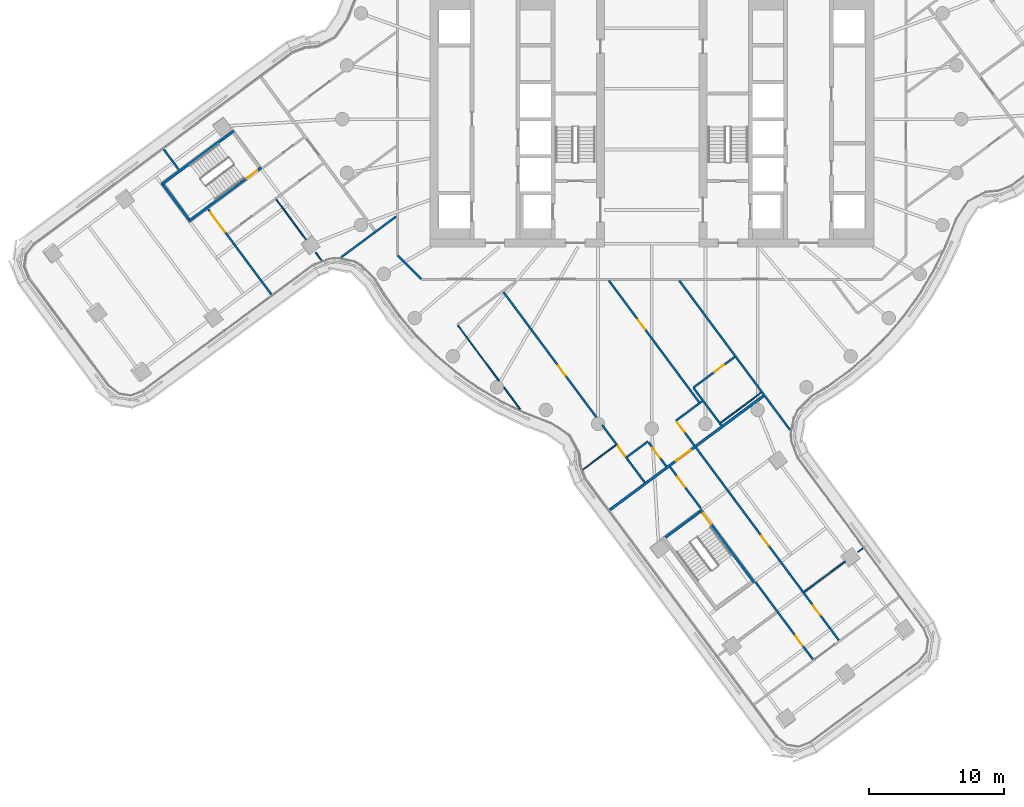
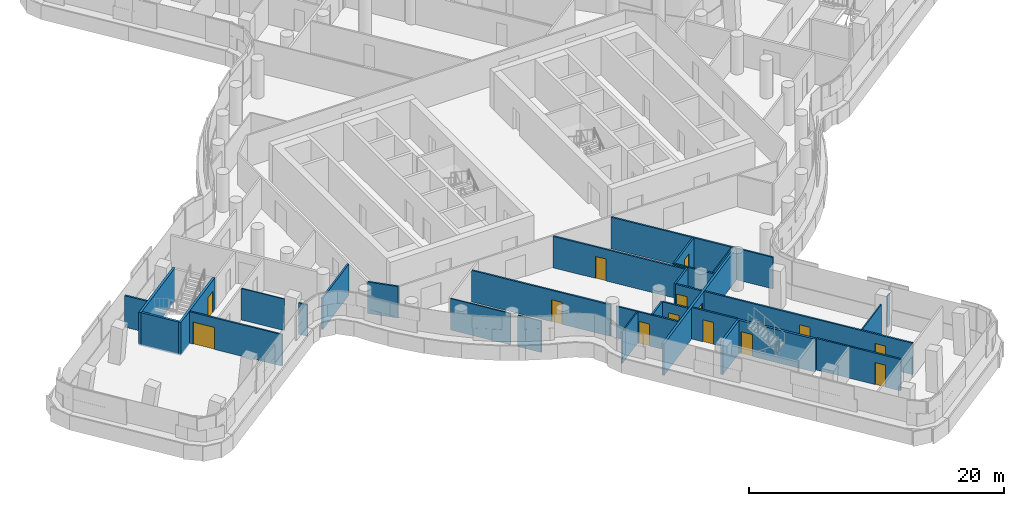
# One storey, part 20 of 32: 30 walls, 14 doors, 14 openings.
"""IFC4 building model written with IfcOpenShell, lengths in metres."""

from ifc_helpers import new_model, si_unit, direction, frame, frame_2d, origin, place, context, subcontext, project, spatial, polyline, rectangle, outline, extrude, material, layer, layer_set, type_object, element, fill, save


model = new_model("IFC4")

# Units and contexts
model_context = context("Model", 3, precision=1e-05, world=origin(), true_north=direction((0.0, 1.0)))
body_context = subcontext(model_context, "Body", "Model", "MODEL_VIEW")
ifc_project = project(units=[si_unit("LENGTHUNIT", "METRE"), si_unit("AREAUNIT", "SQUARE_METRE"), si_unit("VOLUMEUNIT", "CUBIC_METRE"), si_unit("PLANEANGLEUNIT", "RADIAN"), si_unit("MASSUNIT", "GRAM", prefix="KILO")], contexts=[model_context])

# Site, building, storey
site_placement = place(None, origin())
site = spatial("IfcSite", under=ifc_project, at=site_placement, CompositionType="ELEMENT")
building_placement = place(site_placement, origin())
building = spatial("IfcBuilding", under=site, at=building_placement, Name="Tamarind Cross Interchange Tower", CompositionType="ELEMENT")
storey_placement = place(building_placement, frame((0.0, 0.0, 166.75)))
storey = spatial("IfcBuildingStorey", under=building, at=storey_placement, Name="L41", CompositionType="ELEMENT", Elevation=166.75)

# Walls
ifc_material_1 = material(Name="Gypsum board partition on steel studs", Category="steel")
ifc_layer_1 = layer(ifc_material_1, 0.10009765625)
ifc_layer_set_1 = layer_set([ifc_layer_1], Name="Gypsum board partition on steel studs")
wall_type_1 = type_object("IfcWallType", Name="Partition 100 mm EI 90", PredefinedType="PARTITIONING", material=ifc_layer_set_1)
wall_1_placement = place(storey_placement, frame((-27.90625, -5.96923828125, 0.0), z_axis=(0.0, 0.0, 1.0), x_axis=(0.595729228086, -0.803185337767, 0.0)))
element("IfcWall", 1, at=wall_1_placement, inside=storey, type_object=wall_type_1, Name="Partition L41-004", PredefinedType="PARTITIONING", context=body_context, shape_type="SweptSolid", body=[
    extrude(rectangle(XDim=3.711669921875, YDim=0.10009765625, at=frame_2d((1.85595703125, 0.0))), origin(), (0.0, 0.0, 1.0), 3.010009765625),
])
wall_2_placement = place(storey_placement, frame((-24.985595703125, -9.907470703125, 0.0), z_axis=(0.0, 0.0, 1.0), x_axis=(0.596016965025, -0.802971840977, 0.0)))
element("IfcWall", 2, at=wall_2_placement, inside=storey, type_object=wall_type_1, Name="Partition L41-005", PredefinedType="PARTITIONING", context=body_context, shape_type="SweptSolid", body=[
    extrude(rectangle(XDim=0.746826171875, YDim=0.10009765625, at=frame_2d((0.37353515625, 0.0))), origin(), (0.0, 0.0, 1.0), 3.010009765625),
])
wall_3_placement = place(storey_placement, frame((-14.400390625, -15.34423828125, 0.0), z_axis=(0.0, 0.0, 1.0), x_axis=(0.595809139837, -0.803126060396, 0.0)))
element("IfcWall", 3, at=wall_3_placement, inside=storey, type_object=wall_type_1, Name="Partition L41-007", PredefinedType="PARTITIONING", context=body_context, shape_type="SweptSolid", body=[
    extrude(rectangle(XDim=5.1083984375, YDim=0.10009765625, at=frame_2d((2.55419921875, 0.0))), origin(), (0.0, 0.0, 1.0), 3.010009765625),
])
wall_4_placement = place(storey_placement, frame((-10.994384765625, -19.935302734375, 0.0), z_axis=(0.0, 0.0, 1.0), x_axis=(0.595779392593, -0.803148127908, 0.0)))
element("IfcWall", 4, at=wall_4_placement, inside=storey, type_object=wall_type_1, Name="Partition L41-008", PredefinedType="PARTITIONING", context=body_context, shape_type="SweptSolid", body=[
    extrude(rectangle(XDim=2.031005859375, YDim=0.10009765625, at=frame_2d((1.015625, 0.0))), origin(), (0.0, 0.0, 1.0), 3.010009765625),
])
wall_5_placement = place(storey_placement, frame((-5.115234375, -26.04345703125, 0.0), z_axis=(0.0, 0.0, 1.0), x_axis=(0.803080684867, 0.595870299304, 0.0)))
element("IfcWall", 5, at=wall_5_placement, inside=storey, type_object=wall_type_1, Name="Partition L41-054", PredefinedType="PARTITIONING", context=body_context, shape_type="SweptSolid", body=[
    extrude(rectangle(XDim=3.042236328125, YDim=0.10009765625, at=frame_2d((1.52099609375, 0.0))), origin(), (0.0, 0.0, 1.0), 3.010009765625),
])
wall_6_placement = place(storey_placement, frame((11.33056640625, -35.134521484375, 0.0), z_axis=(0.0, 0.0, 1.0), x_axis=(0.803101008, 0.595842907946, 0.0)))
element("IfcWall", 6, at=wall_6_placement, inside=storey, type_object=wall_type_1, Name="Partition L41-061", PredefinedType="PARTITIONING", context=body_context, shape_type="SweptSolid", body=[
    extrude(rectangle(XDim=3.794189453125, YDim=0.10009765625, at=frame_2d((1.89697265625, 0.0))), origin(), (0.0, 0.0, 1.0), 3.010009765625),
])
wall_7_placement = place(storey_placement, frame((15.33447265625, -32.163818359375, 0.0), z_axis=(0.0, 0.0, 1.0), x_axis=(0.803197071816, 0.595713407459, 0.0)))
element("IfcWall", 7, at=wall_7_placement, inside=storey, type_object=wall_type_1, Name="Partition L41-062", PredefinedType="PARTITIONING", context=body_context, shape_type="SweptSolid", body=[
    extrude(rectangle(XDim=0.45654296875, YDim=0.10009765625, at=frame_2d((0.228271484375, 0.0))), origin(), (0.0, 0.0, 1.0), 3.010009765625),
])
wall_8_placement = place(storey_placement, frame((5.12109375, -22.559326171875, 0.0), z_axis=(0.0, 0.0, 1.0), x_axis=(0.803099035859, 0.595845566067, 0.0)))
element("IfcWall", 8, at=wall_8_placement, inside=storey, type_object=wall_type_1, Name="Partition L41-064", PredefinedType="PARTITIONING", context=body_context, shape_type="SweptSolid", body=[
    extrude(rectangle(XDim=3.739990234375, YDim=0.10009765625, at=frame_2d((1.8701171875, 0.0))), origin(), (0.0, 0.0, 1.0), 3.010009765625),
])
ifc_layer_2 = layer(ifc_material_1, 0.14990234375)
ifc_layer_set_2 = layer_set([ifc_layer_2], Name="Gypsum board partition on steel studs")
wall_type_2 = type_object("IfcWallType", Name="Partition 150 mm EI 120", PredefinedType="PARTITIONING", material=ifc_layer_set_2)
wall_9_placement = place(storey_placement, frame((-36.271484375, -2.24560546875, 0.0), z_axis=(0.0, 0.0, 1.0), x_axis=(0.595830526597, -0.803110193918, 0.0)))
element("IfcWall", 9, at=wall_9_placement, inside=storey, type_object=wall_type_2, Name="Partition L41-001", PredefinedType="PARTITIONING", context=body_context, shape_type="SweptSolid", body=[
    extrude(rectangle(XDim=1.858642578125, YDim=0.14990234375, at=frame_2d((0.92919921875, 0.0))), origin(), (0.0, 0.0, 1.0), 3.010009765625),
])

# Wall, opening, door
wall_10_placement = place(storey_placement, frame((-32.970947265625, -6.694091796875, 0.0), z_axis=(0.0, 0.0, 1.0), x_axis=(0.595886847295, -0.803068406314, 0.0)))
wall_10 = element("IfcWall", 10, at=wall_10_placement, inside=storey, type_object=wall_type_2, Name="Partition L41-002", PredefinedType="PARTITIONING", context=body_context, shape_type="SweptSolid", body=[
    extrude(rectangle(XDim=7.88818359375, YDim=0.14990234375, at=frame_2d((3.944091796875, 0.0))), origin(), (0.0, 0.0, 1.0), 3.010009765625),
])
opening_1_placement = place(wall_10_placement, frame((0.300048828125, 0.0, 0.0)))
opening_1 = element("IfcOpeningElement", 11, at=opening_1_placement, cuts=wall_10, Name="Opening D01", PredefinedType="OPENING", context=body_context, shape_type="SweptSolid", body=[
    extrude(rectangle(XDim=1.800048828125, YDim=2.10009765625, at=frame_2d((0.89990234375, 1.050048828125))), frame((0.0, 0.0849609375, 0.0), z_axis=(0.0, -1.0, 0.0), x_axis=(1.0, 0.0, 0.0)), (0.0, 0.0, 1.0), 0.169921875),
])
ifc_material_2 = material(Name="Fire-resisting door set")
door_type_1 = type_object("IfcDoorType", Name="Interior door 1800 x 2100 FD60S", OperationType="DOUBLE_DOOR_SINGLE_SWING", PredefinedType="DOOR", material=ifc_material_2)
door_1_placement = place(opening_1_placement, frame((1.800048828125, 0.0, 0.0), z_axis=(0.0, 0.0, 1.0), x_axis=(-1.0, 0.0, 0.0)))
door_1 = element("IfcDoor", 12, at=door_1_placement, inside=storey, type_object=door_type_1, Name="Door D01", OperationType="DOUBLE_DOOR_SINGLE_SWING", OverallHeight=2.10009765625, OverallWidth=1.800048828125, PredefinedType="DOOR", context=body_context, shape_type="SweptSolid", body=[
    extrude(rectangle(XDim=1.800048828125, YDim=2.10009765625, at=frame_2d((0.89990234375, 1.050048828125))), frame((0.0, 0.02490234375, 0.0), z_axis=(0.0, -1.0, 0.0), x_axis=(1.0, 0.0, 0.0)), (0.0, 0.0, 1.0), 0.050048828125),
])
fill(opening_1, door_1)

wall_11_placement = place(storey_placement, frame((-11.0244140625, -12.84619140625, 0.0), z_axis=(0.0, 0.0, 1.0), x_axis=(0.595804045693, -0.803129839525, 0.0)))
wall_11 = element("IfcWall", 13, at=wall_11_placement, inside=storey, type_object=wall_type_2, Name="Partition L41-012", PredefinedType="PARTITIONING", context=body_context, shape_type="SweptSolid", body=[
    extrude(rectangle(XDim=11.846435546875, YDim=0.14990234375, at=frame_2d((5.92333984375, 0.0))), origin(), (0.0, 0.0, 1.0), 3.010009765625),
])
opening_2_placement = place(wall_11_placement, frame((6.820068359375, 0.0, 0.0)))
opening_2 = element("IfcOpeningElement", 14, at=opening_2_placement, cuts=wall_11, Name="Opening D09", PredefinedType="OPENING", context=body_context, shape_type="SweptSolid", body=[
    extrude(rectangle(XDim=0.89990234375, YDim=2.10009765625, at=frame_2d((0.449951171875, 1.050048828125))), frame((0.0, 0.0849609375, 0.0), z_axis=(0.0, -1.0, 0.0), x_axis=(1.0, 0.0, 0.0)), (0.0, 0.0, 1.0), 0.169921875),
])
door_type_2 = type_object("IfcDoorType", Name="Interior door 900 x 2100 FD60S", OperationType="SINGLE_SWING_LEFT", PredefinedType="DOOR", material=ifc_material_2)
door_2_placement = place(opening_2_placement, frame((0.89990234375, 0.0, 0.0), z_axis=(0.0, 0.0, 1.0), x_axis=(-1.0, 0.0, 0.0)))
door_2 = element("IfcDoor", 15, at=door_2_placement, inside=storey, type_object=door_type_2, Name="Door D09", OperationType="SINGLE_SWING_RIGHT", OverallHeight=2.10009765625, OverallWidth=0.89990234375, PredefinedType="DOOR", context=body_context, shape_type="SweptSolid", body=[
    extrude(rectangle(XDim=0.89990234375, YDim=2.10009765625, at=frame_2d((0.449951171875, 1.050048828125))), frame((0.0, 0.02490234375, 0.0), z_axis=(0.0, -1.0, 0.0), x_axis=(1.0, 0.0, 0.0)), (0.0, 0.0, 1.0), 0.050048828125),
])
fill(opening_2, door_2)

wall_12_placement = place(storey_placement, frame((-3.6982421875, -22.7216796875, 0.0), z_axis=(0.0, 0.0, 1.0), x_axis=(0.595780136415, -0.803147576136, 0.0)))
wall_12 = element("IfcWall", 16, at=wall_12_placement, inside=storey, type_object=wall_type_2, Name="Partition L41-013", PredefinedType="PARTITIONING", context=body_context, shape_type="SweptSolid", body=[
    extrude(rectangle(XDim=5.323974609375, YDim=0.14990234375, at=frame_2d((2.662109375, 0.0))), origin(), (0.0, 0.0, 1.0), 3.010009765625),
])
opening_3_placement = place(wall_12_placement, frame((1.973388671875, 0.0, 0.0)))
opening_3 = element("IfcOpeningElement", 17, at=opening_3_placement, cuts=wall_12, Name="Opening D10", PredefinedType="OPENING", context=body_context, shape_type="SweptSolid", body=[
    extrude(rectangle(XDim=0.89990234375, YDim=2.10009765625, at=frame_2d((0.449951171875, 1.050048828125))), frame((0.0, 0.0849609375, 0.0), z_axis=(0.0, -1.0, 0.0), x_axis=(1.0, 0.0, 0.0)), (0.0, 0.0, 1.0), 0.169921875),
])
door_3_placement = place(opening_3_placement, frame((0.89990234375, 0.0, 0.0), z_axis=(0.0, 0.0, 1.0), x_axis=(-1.0, 0.0, 0.0)))
door_3 = element("IfcDoor", 18, at=door_3_placement, inside=storey, type_object=door_type_2, Name="Door D10", OperationType="SINGLE_SWING_LEFT", OverallHeight=2.10009765625, OverallWidth=0.89990234375, PredefinedType="DOOR", context=body_context, shape_type="SweptSolid", body=[
    extrude(rectangle(XDim=0.89990234375, YDim=2.10009765625, at=frame_2d((0.449951171875, 1.050048828125))), frame((0.0, 0.02490234375, 0.0), z_axis=(0.0, -1.0, 0.0), x_axis=(1.0, 0.0, 0.0)), (0.0, 0.0, 1.0), 0.050048828125),
])
fill(opening_3, door_3)

wall_13_placement = place(storey_placement, frame((-3.1845703125, -12.00048828125, 0.0), z_axis=(0.0, 0.0, 1.0), x_axis=(0.595796799858, -0.803135214817, 0.0)))
wall_13 = element("IfcWall", 19, at=wall_13_placement, inside=storey, type_object=wall_type_2, Name="Partition L41-016", PredefinedType="PARTITIONING", context=body_context, shape_type="SweptSolid", body=[
    extrude(rectangle(XDim=11.24853515625, YDim=0.14990234375, at=frame_2d((5.624267578125, 0.0))), origin(), (0.0, 0.0, 1.0), 3.010009765625),
])
opening_4_placement = place(wall_13_placement, frame((3.625, 0.0, 0.0)))
opening_4 = element("IfcOpeningElement", 20, at=opening_4_placement, cuts=wall_13, Name="Opening D12", PredefinedType="OPENING", context=body_context, shape_type="SweptSolid", body=[
    extrude(rectangle(XDim=0.89990234375, YDim=2.10009765625, at=frame_2d((0.449951171875, 1.050048828125))), frame((0.0, 0.0849609375, 0.0), z_axis=(0.0, -1.0, 0.0), x_axis=(1.0, 0.0, 0.0)), (0.0, 0.0, 1.0), 0.169921875),
])
door_4_placement = place(opening_4_placement, origin())
door_4 = element("IfcDoor", 21, at=door_4_placement, inside=storey, type_object=door_type_2, Name="Door D12", OperationType="SINGLE_SWING_RIGHT", OverallHeight=2.10009765625, OverallWidth=0.89990234375, PredefinedType="DOOR", context=body_context, shape_type="SweptSolid", body=[
    extrude(rectangle(XDim=0.89990234375, YDim=2.10009765625, at=frame_2d((0.449951171875, 1.050048828125))), frame((0.0, 0.02490234375, 0.0), z_axis=(0.0, -1.0, 0.0), x_axis=(1.0, 0.0, 0.0)), (0.0, 0.0, 1.0), 0.050048828125),
])
fill(opening_4, door_4)

wall_14_placement = place(storey_placement, frame((-0.245361328125, -24.018310546875, 0.0), z_axis=(0.0, 0.0, 1.0), x_axis=(0.595725941759, -0.803187775252, 0.0)))
wall_14 = element("IfcWall", 22, at=wall_14_placement, inside=storey, type_object=wall_type_2, Name="Partition L41-017", PredefinedType="PARTITIONING", context=body_context, shape_type="SweptSolid", body=[
    extrude(rectangle(XDim=2.225341796875, YDim=0.14990234375, at=frame_2d((1.11279296875, 0.0))), origin(), (0.0, 0.0, 1.0), 3.010009765625),
])
opening_5_placement = place(wall_14_placement, frame((0.52490234375, 0.0, 0.0)))
opening_5 = element("IfcOpeningElement", 23, at=opening_5_placement, cuts=wall_14, Name="Opening D13", PredefinedType="OPENING", context=body_context, shape_type="SweptSolid", body=[
    extrude(rectangle(XDim=0.89990234375, YDim=2.10009765625, at=frame_2d((0.449951171875, 1.050048828125))), frame((0.0, 0.0849609375, 0.0), z_axis=(0.0, -1.0, 0.0), x_axis=(1.0, 0.0, 0.0)), (0.0, 0.0, 1.0), 0.169921875),
])
door_5_placement = place(opening_5_placement, frame((0.89990234375, 0.0, 0.0), z_axis=(0.0, 0.0, 1.0), x_axis=(-1.0, 0.0, 0.0)))
door_5 = element("IfcDoor", 24, at=door_5_placement, inside=storey, type_object=door_type_2, Name="Door D13", OperationType="SINGLE_SWING_LEFT", OverallHeight=2.10009765625, OverallWidth=0.89990234375, PredefinedType="DOOR", context=body_context, shape_type="SweptSolid", body=[
    extrude(rectangle(XDim=0.89990234375, YDim=2.10009765625, at=frame_2d((0.449951171875, 1.050048828125))), frame((0.0, 0.02490234375, 0.0), z_axis=(0.0, -1.0, 0.0), x_axis=(1.0, 0.0, 0.0)), (0.0, 0.0, 1.0), 0.050048828125),
])
fill(opening_5, door_5)

wall_15_placement = place(storey_placement, frame((1.359619140625, -25.847412109375, 0.0), z_axis=(0.0, 0.0, 1.0), x_axis=(0.595903510496, -0.803056041742, 0.0)))
wall_15 = element("IfcWall", 25, at=wall_15_placement, inside=storey, type_object=wall_type_2, Name="Partition L41-020", PredefinedType="PARTITIONING", context=body_context, shape_type="SweptSolid", body=[
    extrude(rectangle(XDim=3.85986328125, YDim=0.14990234375, at=frame_2d((1.929931640625, 0.0))), origin(), (0.0, 0.0, 1.0), 3.010009765625),
])
opening_6_placement = place(wall_15_placement, frame((0.949951171875, 0.0, 0.0)))
opening_6 = element("IfcOpeningElement", 26, at=opening_6_placement, cuts=wall_15, Name="Opening D15", PredefinedType="OPENING", context=body_context, shape_type="SweptSolid", body=[
    extrude(rectangle(XDim=0.89990234375, YDim=2.10009765625, at=frame_2d((0.449951171875, 1.050048828125))), frame((0.0, 0.0849609375, 0.0), z_axis=(0.0, -1.0, 0.0), x_axis=(1.0, 0.0, 0.0)), (0.0, 0.0, 1.0), 0.169921875),
])
door_6_placement = place(opening_6_placement, frame((0.89990234375, 0.0, 0.0), z_axis=(0.0, 0.0, 1.0), x_axis=(-1.0, 0.0, 0.0)))
door_6 = element("IfcDoor", 27, at=door_6_placement, inside=storey, type_object=door_type_2, Name="Door D15", OperationType="SINGLE_SWING_LEFT", OverallHeight=2.10009765625, OverallWidth=0.89990234375, PredefinedType="DOOR", context=body_context, shape_type="SweptSolid", body=[
    extrude(rectangle(XDim=0.89990234375, YDim=2.10009765625, at=frame_2d((0.449951171875, 1.050048828125))), frame((0.0, 0.02490234375, 0.0), z_axis=(0.0, -1.0, 0.0), x_axis=(1.0, 0.0, 0.0)), (0.0, 0.0, 1.0), 0.050048828125),
])
fill(opening_6, door_6)

wall_16_placement = place(storey_placement, frame((7.7001953125, -34.39208984375, 0.0), z_axis=(0.0, 0.0, 1.0), x_axis=(0.595868147299, -0.803082281609, 0.0)))
wall_16 = element("IfcWall", 28, at=wall_16_placement, inside=storey, type_object=wall_type_2, Name="Partition L41-021", PredefinedType="PARTITIONING", context=body_context, shape_type="SweptSolid", body=[
    extrude(rectangle(XDim=7.179931640625, YDim=0.14990234375, at=frame_2d((3.58984375, 0.0))), origin(), (0.0, 0.0, 1.0), 3.010009765625),
])
opening_7_placement = place(wall_16_placement, frame((5.00927734375, 0.0, 0.0)))
opening_7 = element("IfcOpeningElement", 29, at=opening_7_placement, cuts=wall_16, Name="Opening D16", PredefinedType="OPENING", context=body_context, shape_type="SweptSolid", body=[
    extrude(rectangle(XDim=0.89990234375, YDim=2.10009765625, at=frame_2d((0.449951171875, 1.050048828125))), frame((0.0, 0.0849609375, 0.0), z_axis=(0.0, -1.0, 0.0), x_axis=(1.0, 0.0, 0.0)), (0.0, 0.0, 1.0), 0.169921875),
])
door_7_placement = place(opening_7_placement, frame((0.89990234375, 0.0, 0.0), z_axis=(0.0, 0.0, 1.0), x_axis=(-1.0, 0.0, 0.0)))
door_7 = element("IfcDoor", 30, at=door_7_placement, inside=storey, type_object=door_type_2, Name="Door D16", OperationType="SINGLE_SWING_RIGHT", OverallHeight=2.10009765625, OverallWidth=0.89990234375, PredefinedType="DOOR", context=body_context, shape_type="SweptSolid", body=[
    extrude(rectangle(XDim=0.89990234375, YDim=2.10009765625, at=frame_2d((0.449951171875, 1.050048828125))), frame((0.0, 0.02490234375, 0.0), z_axis=(0.0, -1.0, 0.0), x_axis=(1.0, 0.0, 0.0)), (0.0, 0.0, 1.0), 0.050048828125),
])
fill(opening_7, door_7)

# Wall, openings, doors
wall_17_placement = place(storey_placement, frame((1.845703125, -22.473388671875, 0.0), z_axis=(0.0, 0.0, 1.0), x_axis=(0.595730224084, -0.803184599026, 0.0)))
wall_17 = element("IfcWall", 31, at=wall_17_placement, inside=storey, type_object=wall_type_2, Name="Partition L41-022", PredefinedType="PARTITIONING", context=body_context, shape_type="SweptSolid", body=[
    extrude(rectangle(XDim=20.240478515625, YDim=0.14990234375, at=frame_2d((10.1201171875, 0.0))), origin(), (0.0, 0.0, 1.0), 3.010009765625),
])
opening_8_placement = place(wall_17_placement, frame((0.070068359375, 0.0, 0.0)))
opening_8 = element("IfcOpeningElement", 32, at=opening_8_placement, cuts=wall_17, Name="Opening D17", PredefinedType="OPENING", context=body_context, shape_type="SweptSolid", body=[
    extrude(rectangle(XDim=0.89990234375, YDim=2.10009765625, at=frame_2d((0.449951171875, 1.050048828125))), frame((0.0, 0.0849609375, 0.0), z_axis=(0.0, -1.0, 0.0), x_axis=(1.0, 0.0, 0.0)), (0.0, 0.0, 1.0), 0.169921875),
])
opening_9_placement = place(wall_17_placement, frame((10.5703125, 0.0, 0.0)))
opening_9 = element("IfcOpeningElement", 33, at=opening_9_placement, cuts=wall_17, Name="Opening D18", PredefinedType="OPENING", context=body_context, shape_type="SweptSolid", body=[
    extrude(rectangle(XDim=0.89990234375, YDim=2.10009765625, at=frame_2d((0.449951171875, 1.050048828125))), frame((0.0, 0.0849609375, 0.0), z_axis=(0.0, -1.0, 0.0), x_axis=(1.0, 0.0, 0.0)), (0.0, 0.0, 1.0), 0.169921875),
])
opening_10_placement = place(wall_17_placement, frame((17.020751953125, 0.0, 0.0)))
opening_10 = element("IfcOpeningElement", 34, at=opening_10_placement, cuts=wall_17, Name="Opening D19", PredefinedType="OPENING", context=body_context, shape_type="SweptSolid", body=[
    extrude(rectangle(XDim=0.89990234375, YDim=2.10009765625, at=frame_2d((0.449951171875, 1.050048828125))), frame((0.0, 0.0849609375, 0.0), z_axis=(0.0, -1.0, 0.0), x_axis=(1.0, 0.0, 0.0)), (0.0, 0.0, 1.0), 0.169921875),
])
door_8_placement = place(opening_8_placement, origin())
door_8 = element("IfcDoor", 35, at=door_8_placement, inside=storey, type_object=door_type_2, Name="Door D17", OperationType="SINGLE_SWING_RIGHT", OverallHeight=2.10009765625, OverallWidth=0.89990234375, PredefinedType="DOOR", context=body_context, shape_type="SweptSolid", body=[
    extrude(rectangle(XDim=0.89990234375, YDim=2.10009765625, at=frame_2d((0.449951171875, 1.050048828125))), frame((0.0, 0.02490234375, 0.0), z_axis=(0.0, -1.0, 0.0), x_axis=(1.0, 0.0, 0.0)), (0.0, 0.0, 1.0), 0.050048828125),
])
fill(opening_8, door_8)
door_9_placement = place(opening_9_placement, origin())
door_9 = element("IfcDoor", 36, at=door_9_placement, inside=storey, type_object=door_type_2, Name="Door D18", OperationType="SINGLE_SWING_LEFT", OverallHeight=2.10009765625, OverallWidth=0.89990234375, PredefinedType="DOOR", context=body_context, shape_type="SweptSolid", body=[
    extrude(rectangle(XDim=0.89990234375, YDim=2.10009765625, at=frame_2d((0.449951171875, 1.050048828125))), frame((0.0, 0.02490234375, 0.0), z_axis=(0.0, -1.0, 0.0), x_axis=(1.0, 0.0, 0.0)), (0.0, 0.0, 1.0), 0.050048828125),
])
fill(opening_9, door_9)
door_10_placement = place(opening_10_placement, origin())
door_10 = element("IfcDoor", 37, at=door_10_placement, inside=storey, type_object=door_type_2, Name="Door D19", OperationType="SINGLE_SWING_LEFT", OverallHeight=2.10009765625, OverallWidth=0.89990234375, PredefinedType="DOOR", context=body_context, shape_type="SweptSolid", body=[
    extrude(rectangle(XDim=0.89990234375, YDim=2.10009765625, at=frame_2d((0.449951171875, 1.050048828125))), frame((0.0, 0.02490234375, 0.0), z_axis=(0.0, -1.0, 0.0), x_axis=(1.0, 0.0, 0.0)), (0.0, 0.0, 1.0), 0.050048828125),
])
fill(opening_10, door_10)

# Walls
wall_18_placement = place(storey_placement, frame((2.04541015625, -12.00048828125, 0.0), z_axis=(0.0, 0.0, 1.0), x_axis=(0.595715728825, -0.803195350105, 0.0)))
element("IfcWall", 38, at=wall_18_placement, inside=storey, type_object=wall_type_2, Name="Partition L41-023", PredefinedType="PARTITIONING", context=body_context, shape_type="SweptSolid", body=[
    extrude(rectangle(XDim=13.82275390625, YDim=0.14990234375, at=frame_2d((6.911376953125, 0.0))), origin(), (0.0, 0.0, 1.0), 3.010009765625),
])
wall_19_placement = place(storey_placement, frame((3.102783203125, -19.97216796875, 0.0), z_axis=(0.0, 0.0, 1.0), x_axis=(0.595758856769, -0.80316336108, 0.0)))
element("IfcWall", 39, at=wall_19_placement, inside=storey, type_object=wall_type_2, Name="Partition L41-024", PredefinedType="PARTITIONING", context=body_context, shape_type="SweptSolid", body=[
    extrude(rectangle(XDim=3.460693359375, YDim=0.14990234375, at=frame_2d((1.73046875, 0.0))), origin(), (0.0, 0.0, 1.0), 3.010009765625),
])
wall_20_placement = place(storey_placement, frame((-18.87158203125, -10.12841796875, 0.0), z_axis=(0.0, 0.0, 1.0), x_axis=(0.707106781187, -0.707106781187, 0.0)))
element("IfcWall", 40, at=wall_20_placement, inside=storey, type_object=wall_type_2, Name="Partition L41-031", PredefinedType="PARTITIONING", context=body_context, shape_type="SweptSolid", body=[
    extrude(rectangle(XDim=2.465087890625, YDim=0.14990234375, at=frame_2d((1.232421875, 0.0))), origin(), (0.0, 0.0, 1.0), 3.010009765625),
])
wall_21_placement = place(storey_placement, frame((-23.101806640625, -10.280029296875, 0.0), z_axis=(0.0, 0.0, 1.0), x_axis=(0.803138615649, 0.595792215502, 0.0)))
element("IfcWall", 41, at=wall_21_placement, inside=storey, type_object=wall_type_2, Name="Partition L41-039", PredefinedType="PARTITIONING", context=body_context, shape_type="SweptSolid", body=[
    extrude(rectangle(XDim=5.106689453125, YDim=0.14990234375, at=frame_2d((2.55322265625, 0.0))), origin(), (0.0, 0.0, 1.0), 3.010009765625),
])

# Wall, opening, door
wall_22_placement = place(storey_placement, frame((3.090087890625, -19.954833984375, 0.0), z_axis=(0.0, 0.0, 1.0), x_axis=(0.803088161311, 0.595860222839, 0.0)))
wall_22 = element("IfcWall", 42, at=wall_22_placement, inside=storey, type_object=wall_type_2, Name="Partition L41-055", PredefinedType="PARTITIONING", context=body_context, shape_type="SweptSolid", body=[
    extrude(rectangle(XDim=3.819580078125, YDim=0.14990234375, at=frame_2d((1.90966796875, 0.0))), origin(), (0.0, 0.0, 1.0), 3.010009765625),
])
opening_11_placement = place(wall_22_placement, frame((1.949951171875, 0.0, 0.0)))
opening_11 = element("IfcOpeningElement", 43, at=opening_11_placement, cuts=wall_22, Name="Opening D35", PredefinedType="OPENING", context=body_context, shape_type="SweptSolid", body=[
    extrude(rectangle(XDim=0.89990234375, YDim=2.10009765625, at=frame_2d((0.449951171875, 1.050048828125))), frame((0.0, 0.0849609375, 0.0), z_axis=(0.0, -1.0, 0.0), x_axis=(1.0, 0.0, 0.0)), (0.0, 0.0, 1.0), 0.169921875),
])
door_11_placement = place(opening_11_placement, frame((0.89990234375, 0.0, 0.0), z_axis=(0.0, 0.0, 1.0), x_axis=(-1.0, 0.0, 0.0)))
door_11 = element("IfcDoor", 44, at=door_11_placement, inside=storey, type_object=door_type_2, Name="Door D35", OperationType="SINGLE_SWING_RIGHT", OverallHeight=2.10009765625, OverallWidth=0.89990234375, PredefinedType="DOOR", context=body_context, shape_type="SweptSolid", body=[
    extrude(rectangle(XDim=0.89990234375, YDim=2.10009765625, at=frame_2d((0.449951171875, 1.050048828125))), frame((0.0, 0.02490234375, 0.0), z_axis=(0.0, -1.0, 0.0), x_axis=(1.0, 0.0, 0.0)), (0.0, 0.0, 1.0), 0.050048828125),
])
fill(opening_11, door_11)

# Walls
wall_23_placement = place(storey_placement, frame((-1.832763671875, -25.102294921875, 0.0), z_axis=(0.0, 0.0, 1.0), x_axis=(0.803176502208, 0.595741140346, 0.0)))
element("IfcWall", 45, at=wall_23_placement, inside=storey, type_object=wall_type_2, Name="Partition L41-057", PredefinedType="PARTITIONING", context=body_context, shape_type="SweptSolid", body=[
    extrude(rectangle(XDim=1.9208984375, YDim=0.14990234375, at=frame_2d((0.96044921875, 0.0))), origin(), (0.0, 0.0, 1.0), 3.010009765625),
])
wall_24_placement = place(storey_placement, frame((1.798095703125, -22.4091796875, 0.0), z_axis=(0.0, 0.0, 1.0), x_axis=(0.803172774145, 0.595746166477, 0.0)))
element("IfcWall", 46, at=wall_24_placement, inside=storey, type_object=wall_type_2, Name="Partition L41-058", PredefinedType="PARTITIONING", context=body_context, shape_type="SweptSolid", body=[
    extrude(rectangle(XDim=2.419921875, YDim=0.14990234375, at=frame_2d((1.2099609375, 0.0))), origin(), (0.0, 0.0, 1.0), 3.010009765625),
])

# Wall, opening, door
ifc_layer_3 = layer(ifc_material_1, 0.199951171875)
ifc_layer_set_3 = layer_set([ifc_layer_3], Name="Gypsum board partition on steel studs")
wall_type_3 = type_object("IfcWallType", Name="Partition 200 mm EI 180", PredefinedType="PARTITIONING", material=ifc_layer_set_3)
wall_25_placement = place(storey_placement, frame((-3.1162109375, -29.04345703125, 0.0), z_axis=(0.0, 0.0, 1.0), x_axis=(0.803114725205, 0.595824418901, 0.0)))
wall_25 = element("IfcWall", 47, at=wall_25_placement, inside=storey, type_object=wall_type_3, Name="Partition L41-056", PredefinedType="PARTITIONING", context=body_context, shape_type="SweptSolid", body=[
    extrude(rectangle(XDim=14.21923828125, YDim=0.199951171875, at=frame_2d((7.109619140625, 0.0))), origin(), (0.0, 0.0, 1.0), 3.010009765625),
])
opening_12_placement = place(wall_25_placement, frame((6.098876953125, 0.0, 0.0)))
opening_12 = element("IfcOpeningElement", 48, at=opening_12_placement, cuts=wall_25, Name="Opening D36", PredefinedType="OPENING", context=body_context, shape_type="SweptSolid", body=[
    extrude(rectangle(XDim=1.39990234375, YDim=2.10009765625, at=frame_2d((0.699951171875, 1.050048828125))), frame((0.0, 0.10986328125, 0.0), z_axis=(0.0, -1.0, 0.0), x_axis=(1.0, 0.0, 0.0)), (0.0, 0.0, 1.0), 0.219970703125),
])
door_type_3 = type_object("IfcDoorType", Name="Interior door 1400 x 2100 FD120S", OperationType="DOUBLE_DOOR_SINGLE_SWING", PredefinedType="DOOR", material=ifc_material_2)
door_12_placement = place(opening_12_placement, origin())
door_12 = element("IfcDoor", 49, at=door_12_placement, inside=storey, type_object=door_type_3, Name="Door D36", OperationType="DOUBLE_DOOR_SINGLE_SWING", OverallHeight=2.10009765625, OverallWidth=1.39990234375, PredefinedType="DOOR", context=body_context, shape_type="SweptSolid", body=[
    extrude(rectangle(XDim=1.39990234375, YDim=2.10009765625, at=frame_2d((0.699951171875, 1.050048828125))), frame((0.0, 0.02490234375, 0.0), z_axis=(0.0, -1.0, 0.0), x_axis=(1.0, 0.0, 0.0)), (0.0, 0.0, 1.0), 0.050048828125),
])
fill(opening_12, door_12)

ifc_material_3 = material(Name="Concrete C40", Category="concrete")
ifc_layer_4 = layer(ifc_material_3, 0.199951171875)
ifc_layer_set_4 = layer_set([ifc_layer_4], Name="Concrete C40")
wall_type_4 = type_object("IfcWallType", Name="Stair shaft wall 200 mm Concrete C40", PredefinedType="SHEAR", material=ifc_layer_set_4)
wall_26_placement = place(storey_placement, frame((-29.0390625, -3.60302734375, -0.139892578125), z_axis=(0.0, 0.0, 1.0), x_axis=(-0.803150335783, -0.595776416227, 0.0)))
wall_26 = element("IfcWall", 50, at=wall_26_placement, inside=storey, type_object=wall_type_4, Name="Core wall CWL-L41-ST5-H", PredefinedType="SHEAR", context=body_context, shape_type="SweptSolid", body=[
    extrude(rectangle(XDim=6.699951171875, YDim=0.199951171875, at=frame_2d((3.35009765625, 0.0))), origin(), (0.0, 0.0, 1.0), 3.14990234375),
])
opening_13_placement = place(wall_26_placement, frame((0.35009765625, 0.0, 0.0)))
opening_13 = element("IfcOpeningElement", 51, at=opening_13_placement, cuts=wall_26, Name="Opening ST5L41", PredefinedType="OPENING", context=body_context, shape_type="SweptSolid", body=[
    extrude(rectangle(XDim=1.0, YDim=2.10009765625, at=frame_2d((0.5, 1.050048828125))), frame((0.0, 0.10986328125, 0.0), z_axis=(0.0, -1.0, 0.0), x_axis=(1.0, 0.0, 0.0)), (0.0, 0.0, 1.0), 0.219970703125),
])
ifc_material_4 = material(Name="Steel, fire-resisting", Category="steel")
door_type_4 = type_object("IfcDoorType", Name="Core fire door 1000 x 2100 FD90", OperationType="SINGLE_SWING_LEFT", PredefinedType="DOOR", material=ifc_material_4)
door_13_placement = place(opening_13_placement, origin())
door_13 = element("IfcDoor", 52, at=door_13_placement, inside=storey, type_object=door_type_4, Name="L41 stair door ST5", OperationType="SINGLE_SWING_LEFT", OverallHeight=2.10009765625, OverallWidth=1.0, PredefinedType="DOOR", context=body_context, shape_type="SweptSolid", body=[
    extrude(rectangle(XDim=1.0, YDim=2.10009765625, at=frame_2d((0.5, 1.050048828125))), frame((0.0, 0.02490234375, 0.0), z_axis=(0.0, -1.0, 0.0), x_axis=(1.0, 0.0, 0.0)), (0.0, 0.0, 1.0), 0.050048828125),
])
fill(opening_13, door_13)

# Walls
wall_27_placement = place(storey_placement, frame((-31.064697265625, -0.872314453125, -0.139892578125), z_axis=(0.0, 0.0, 1.0), x_axis=(-0.803150335783, -0.595776416227, 0.0)))
element("IfcWall", 53, at=wall_27_placement, inside=storey, type_object=wall_type_4, Name="Core wall CWL-L41-ST5-C", PredefinedType="SHEAR", context=body_context, shape_type="SweptSolid", body=[
    extrude(rectangle(XDim=6.699951171875, YDim=0.199951171875, at=frame_2d((3.35009765625, 0.0))), origin(), (0.0, 0.0, 1.0), 3.14990234375),
])
wall_28_placement = place(storey_placement, frame((0.0, 0.0, -0.139892578125)))
element("IfcWall", 54, at=wall_28_placement, inside=storey, type_object=wall_type_4, Name="Core wall CWL-L41-ST5-CF", PredefinedType="SHEAR", context=body_context, shape_type="SweptSolid", body=[
    extrude(outline(polyline([(-36.2255859375, -4.8251953125), (-36.38623046875, -4.9443359375), (-34.479736328125, -7.514404296875), (-34.319091796875, -7.395263671875), (-36.2255859375, -4.8251953125)])), origin(), (0.0, 0.0, 1.0), 3.14990234375),
])

# Wall, opening, door
wall_29_placement = place(storey_placement, frame((3.60302734375, -29.0390625, -0.139892578125), z_axis=(0.0, 0.0, 1.0), x_axis=(0.595776416227, -0.803150335783, 0.0)))
wall_29 = element("IfcWall", 55, at=wall_29_placement, inside=storey, type_object=wall_type_4, Name="Core wall CWL-L41-ST6-H", PredefinedType="SHEAR", context=body_context, shape_type="SweptSolid", body=[
    extrude(rectangle(XDim=6.699951171875, YDim=0.199951171875, at=frame_2d((3.35009765625, 0.0))), origin(), (0.0, 0.0, 1.0), 3.14990234375),
])
opening_14_placement = place(wall_29_placement, frame((0.35009765625, 0.0, 0.0)))
opening_14 = element("IfcOpeningElement", 56, at=opening_14_placement, cuts=wall_29, Name="Opening ST6L41", PredefinedType="OPENING", context=body_context, shape_type="SweptSolid", body=[
    extrude(rectangle(XDim=1.0, YDim=2.10009765625, at=frame_2d((0.5, 1.050048828125))), frame((0.0, 0.10986328125, 0.0), z_axis=(0.0, -1.0, 0.0), x_axis=(1.0, 0.0, 0.0)), (0.0, 0.0, 1.0), 0.219970703125),
])
door_14_placement = place(opening_14_placement, origin())
door_14 = element("IfcDoor", 57, at=door_14_placement, inside=storey, type_object=door_type_4, Name="L41 stair door ST6", OperationType="SINGLE_SWING_LEFT", OverallHeight=2.10009765625, OverallWidth=1.0, PredefinedType="DOOR", context=body_context, shape_type="SweptSolid", body=[
    extrude(rectangle(XDim=1.0, YDim=2.10009765625, at=frame_2d((0.5, 1.050048828125))), frame((0.0, 0.02490234375, 0.0), z_axis=(0.0, -1.0, 0.0), x_axis=(1.0, 0.0, 0.0)), (0.0, 0.0, 1.0), 0.050048828125),
])
fill(opening_14, door_14)

# Wall
wall_30_placement = place(storey_placement, frame((1.01220703125, -31.08544921875, -0.139892578125), z_axis=(0.0, 0.0, 1.0), x_axis=(0.80314748859, 0.595780254432, 0.0)))
element("IfcWall", 58, at=wall_30_placement, inside=storey, type_object=wall_type_4, Name="Core wall CWL-L41-ST6-CE", PredefinedType="SHEAR", context=body_context, shape_type="SweptSolid", body=[
    extrude(rectangle(XDim=3.199951171875, YDim=0.199951171875, at=frame_2d((1.60009765625, 0.0))), origin(), (0.0, 0.0, 1.0), 3.14990234375),
])

save(model, "model.ifc")
